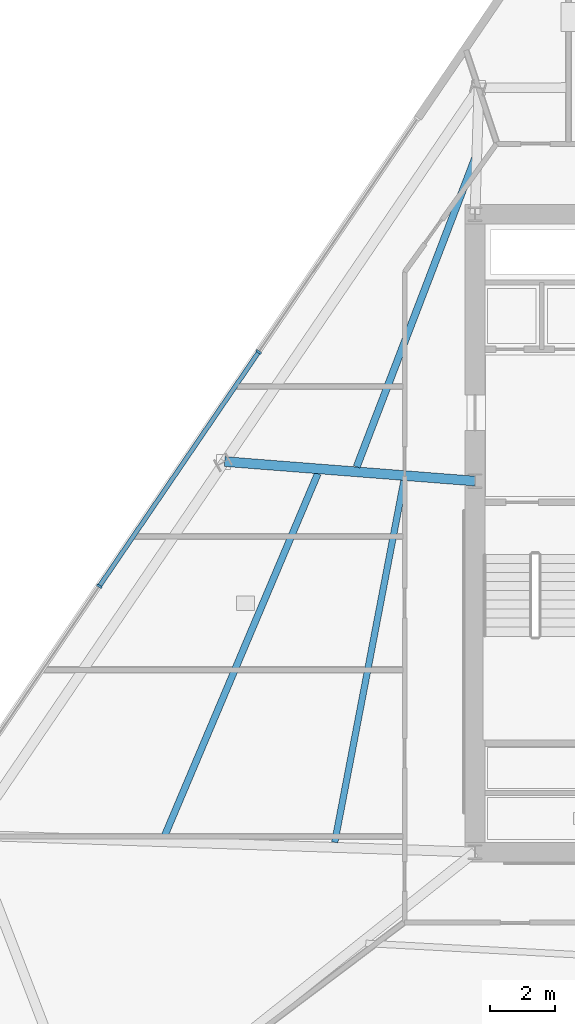
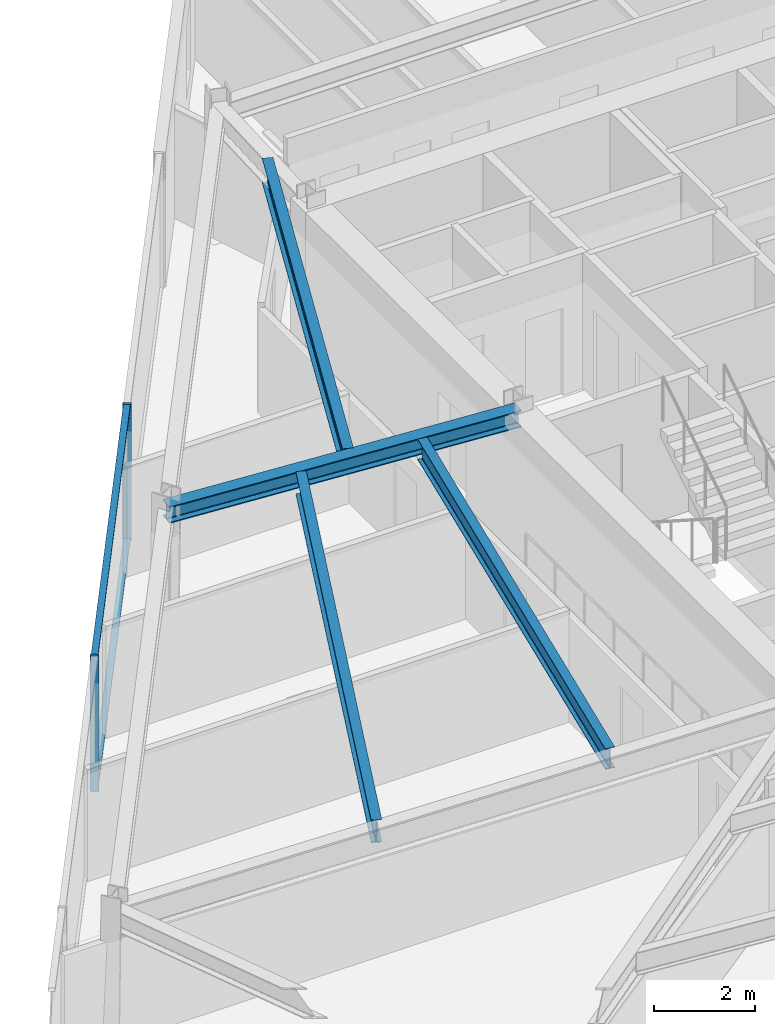
# One storey, part 4 of 16: 4 beams, 4 members, 1 element without a shape of its own.
"""IFC4 building model written with IfcOpenShell, lengths in metres."""

import ifcopenshell
import ifcopenshell.guid

model = None  # the IFC model being written
_history = None  # IfcOwnerHistory: only IFC2X3 demands one
_inside = {}  # id of a spatial element -> (the spatial element, [elements in it])
_under = {}  # id of a project, library or spatial element -> (it, [spatial elements below it])
_declared = {}  # id of a project -> (the project, [libraries it declares])
_typed = {}  # id of a type object -> (the type object, [elements of that type])
_made_of = {}  # id of a material, layer set ... -> (it, [elements and type objects made of it])


def new_model(schema):
    """Start an empty IFC model of exactly this schema.

    Asked for "IFC4X3", IfcOpenShell would pick the latest addendum, in which some entities
    have other attributes; the version numbers below select the first issue.
    IFC2X3 requires an IfcOwnerHistory on every rooted entity: one is made here for all.
    """
    global model, _history
    if schema == "IFC4X3":
        model = ifcopenshell.file(schema_version=(4, 3, 0, 0))
    else:
        model = ifcopenshell.file(schema=schema)
    _inside.clear()
    _under.clear()
    _declared.clear()
    _typed.clear()
    _made_of.clear()
    _history = None
    if model.schema == "IFC2X3":
        org = make("IfcOrganization", Name="unknown")
        user = make(
            "IfcPersonAndOrganization",
            ThePerson=make("IfcPerson", FamilyName="unknown"),
            TheOrganization=org,
        )
        app = make(
            "IfcApplication",
            ApplicationDeveloper=org,
            Version="unknown",
            ApplicationFullName="unknown",
            ApplicationIdentifier="unknown",
        )
        _history = make(
            "IfcOwnerHistory",
            OwningUser=user,
            OwningApplication=app,
            ChangeAction="ADDED",
            CreationDate=0,
        )
    return model


def make(cls, **values):
    """One entity of the class cls with the attributes given. An attribute that is None is left unset."""
    return model.create_entity(
        cls, **{name: value for name, value in values.items() if value is not None}
    )


def rooted(cls, **values):
    """An entity with a GlobalId (a new one), such as an element, a storey or a relation."""
    return make(cls, GlobalId=ifcopenshell.guid.new(), OwnerHistory=_history, **values)


def si_unit(unit_type, name, prefix=None):
    """IfcSIUnit, for example si_unit("LENGTHUNIT", "METRE", prefix="MILLI")."""
    return make("IfcSIUnit", UnitType=unit_type, Prefix=prefix, Name=name)


def assignment(units):
    """IfcUnitAssignment: the units of a project."""
    return None if units is None else make("IfcUnitAssignment", Units=units)


def point(xyz):
    """IfcCartesianPoint."""
    return None if xyz is None else make("IfcCartesianPoint", Coordinates=xyz)


def direction(xyz):
    """IfcDirection."""
    return None if xyz is None else make("IfcDirection", DirectionRatios=xyz)


def frame(location, z_axis=None, x_axis=None):
    """IfcAxis2Placement3D, a coordinate frame: its origin and axes. An axis left out is left unset."""
    return make(
        "IfcAxis2Placement3D",
        Location=point(location),
        Axis=direction(z_axis),
        RefDirection=direction(x_axis),
    )


def frame_2d(location, x_axis=None):
    """IfcAxis2Placement2D, a coordinate frame in the plane: its origin and x axis."""
    return make(
        "IfcAxis2Placement2D", Location=point(location), RefDirection=direction(x_axis)
    )


def origin():
    """The frame at (0, 0, 0) with its axes left unset."""
    return frame((0.0, 0.0, 0.0))


def origin_2d():
    """The frame at (0, 0) in the plane with its x axis left unset."""
    return frame_2d((0.0, 0.0))


def place(relative_to, where):
    """IfcLocalPlacement: puts the frame where relative to a parent placement (None: the world)."""
    return make(
        "IfcLocalPlacement", PlacementRelTo=relative_to, RelativePlacement=where
    )


def context(
    kind, dimensions, precision=None, world=None, true_north=None, identifier=None
):
    """IfcGeometricRepresentationContext, for example the 3D "Model" context."""
    return make(
        "IfcGeometricRepresentationContext",
        ContextIdentifier=identifier,
        ContextType=kind,
        CoordinateSpaceDimension=dimensions,
        Precision=precision,
        WorldCoordinateSystem=world,
        TrueNorth=true_north,
    )


def subcontext(parent, identifier, kind, view, scale=None):
    """IfcGeometricRepresentationSubContext, for example "Body" below "Model"."""
    return make(
        "IfcGeometricRepresentationSubContext",
        ContextIdentifier=identifier,
        ContextType=kind,
        ParentContext=parent,
        TargetScale=scale,
        TargetView=view,
    )


def project(units=None, contexts=None):
    """IfcProject with its units and contexts."""
    return rooted(
        "IfcProject",
        Name="project",
        RepresentationContexts=contexts,
        UnitsInContext=assignment(units),
    )


def spatial(cls, under=None, at=None, **own):
    """A site, building, storey or space (cls), placed at a placement, below another one or the project."""
    s = rooted(cls, ObjectPlacement=at, **own)
    if under is not None:
        _under.setdefault(under.id(), (under, []))[1].append(s)
    return s


def profile(cls, at=None, kind="AREA", **sizes):
    """A parametric profile (cls). Its sizes go by their IFC names, for example OverallWidth=200.0."""
    return make(cls, ProfileType=kind, Position=at, **sizes)


def rectangle(**sizes):
    """IfcRectangleProfileDef."""
    return profile("IfcRectangleProfileDef", **sizes)


def i_section(**sizes):
    """IfcIShapeProfileDef."""
    return profile("IfcIShapeProfileDef", **sizes)


def extrude(swept, where, along, depth):
    """IfcExtrudedAreaSolid: the profile swept, set in the frame where, extruded along a direction by depth."""
    return make(
        "IfcExtrudedAreaSolid",
        SweptArea=swept,
        Position=where,
        ExtrudedDirection=direction(along),
        Depth=depth,
    )


def shape(context_of_items, identifier, shape_type, items):
    """IfcShapeRepresentation: the items that make up one representation, for example the "Body"."""
    return make(
        "IfcShapeRepresentation",
        ContextOfItems=context_of_items,
        RepresentationIdentifier=identifier,
        RepresentationType=shape_type,
        Items=items,
    )


def material(Name=None, Category=None):
    """IfcMaterial."""
    return make("IfcMaterial", Name=Name, Category=Category)


def material_profile(
    of_material, cross_section, Name=None, Category=None, Priority=None
):
    """IfcMaterialProfile: a cross section and its material."""
    return make(
        "IfcMaterialProfile",
        Name=Name,
        Material=of_material,
        Profile=cross_section,
        Priority=Priority,
        Category=Category,
    )


def profile_set(profiles, Name=None, composite=None):
    """IfcMaterialProfileSet."""
    return make(
        "IfcMaterialProfileSet",
        Name=Name,
        MaterialProfiles=profiles,
        CompositeProfile=composite,
    )


def made_of(thing, what):
    """Note that an element or type object is made of a material, layer set ...; save() writes the relation."""
    if what is not None:
        _made_of.setdefault(what.id(), (what, []))[1].append(thing)
    return thing


def type_object(cls, material=None, **own):
    """A type object (cls), such as IfcWallType, which elements share."""
    return made_of(rooted(cls, **own), material)


def element(
    cls,
    number,
    at=None,
    inside=None,
    cuts=None,
    type_object=None,
    material=None,
    context=None,
    identifier="Body",
    shape_type=None,
    held_by="IfcProductDefinitionShape",
    body=None,
    shapes=None,
    **own,
):
    """One element of the class cls, such as IfcWall. Its Tag is "e" and its number.

    at: its placement. inside: the storey or other place that contains it. cuts: it is an
    opening in that element (IfcRelVoidsElement). A single representation is given by context,
    identifier, shape_type and body (its items); several are given by shapes. held_by: the class
    of the entity that holds the representations. save() writes the other relations.
    """
    e = rooted(cls, Tag="e%d" % number, ObjectPlacement=at, **own)
    if body is not None:
        shapes = [shape(context, identifier, shape_type, body)]
    if shapes is not None:
        e.Representation = make(held_by, Representations=shapes)
    if inside is not None:
        _inside.setdefault(inside.id(), (inside, []))[1].append(e)
    if cuts is not None:
        rooted(
            "IfcRelVoidsElement", RelatingBuildingElement=cuts, RelatedOpeningElement=e
        )
    if type_object is not None:
        _typed.setdefault(type_object.id(), (type_object, []))[1].append(e)
    return made_of(e, material)


def aggregate(whole, parts):
    """IfcRelAggregates: a whole, such as a stair, and the parts it consists of."""
    return rooted("IfcRelAggregates", RelatingObject=whole, RelatedObjects=parts)


def save(model, path):
    """Write the relations noted so far, then the file.

    IfcRelAggregates (storeys below a building ...), IfcRelContainedInSpatialStructure (elements
    in a storey), IfcRelDefinesByType, IfcRelAssociatesMaterial and IfcRelDeclares: one each for
    every whole, place, type object, material and project.
    """
    for whole, parts in _under.values():
        aggregate(whole, parts)
    for where, things in _inside.values():
        rooted(
            "IfcRelContainedInSpatialStructure",
            RelatedElements=things,
            RelatingStructure=where,
        )
    for kind, things in _typed.values():
        rooted("IfcRelDefinesByType", RelatedObjects=things, RelatingType=kind)
    for what, things in _made_of.values():
        rooted("IfcRelAssociatesMaterial", RelatedObjects=things, RelatingMaterial=what)
    for by, libraries in _declared.values():
        rooted("IfcRelDeclares", RelatingContext=by, RelatedDefinitions=libraries)
    model.write(path)


model = new_model("IFC4")

# Units and contexts
model_context = context("Model", 3, precision=1e-05, world=origin(), true_north=direction((0.0, 1.0)))
body_context = subcontext(model_context, "Body", "Model", "MODEL_VIEW")
ifc_project = project(units=[si_unit("LENGTHUNIT", "METRE"), si_unit("AREAUNIT", "SQUARE_METRE"), si_unit("VOLUMEUNIT", "CUBIC_METRE"), si_unit("PLANEANGLEUNIT", "RADIAN"), si_unit("MASSUNIT", "GRAM", prefix="KILO")], contexts=[model_context])

# Site, building, storey
site_placement = place(None, origin())
site = spatial("IfcSite", under=ifc_project, at=site_placement, CompositionType="ELEMENT")
building_placement = place(site_placement, origin())
building = spatial("IfcBuilding", under=site, at=building_placement, Name="Savorim Split Tower", CompositionType="ELEMENT")
storey_placement = place(building_placement, frame((0.0, 0.0, 69.60009765625)))
storey = spatial("IfcBuildingStorey", under=building, at=storey_placement, Name="L18", CompositionType="ELEMENT", Elevation=69.60009765625)

# Beams
ifc_material_1 = material(Name="Steel S355", Category="steel")
ifc_material_profile_1 = material_profile(ifc_material_1, i_section(OverallWidth=0.199951171875, OverallDepth=0.5, WebThickness=0.01025390625, FlangeThickness=0.01611328125, FilletRadius=0.02099609375, at=origin_2d()), Name="IPE 500")
ifc_profile_set_1 = profile_set([ifc_material_profile_1], Name="Steel S355")
beam_type_1 = type_object("IfcBeamType", Name="BM-JST-IPE500", PredefinedType="JOIST", material=ifc_profile_set_1)
beam_1_placement = place(storey_placement, frame((-9.884033203125, 2.0107421875, 3.02978515625), z_axis=(-0.188048348164, -0.982159772518, 0.0), x_axis=(0.982159772518, -0.188048348164, 0.0)))
element("IfcBeam", 1, at=beam_1_placement, inside=storey, type_object=beam_type_1, Name="L18 Secondary Floor Joist JS-11", PredefinedType="JOIST", context=body_context, shape_type="SweptSolid", body=[
    extrude(i_section(OverallWidth=0.199951171875, OverallDepth=0.5, WebThickness=0.01025390625, FlangeThickness=0.01611328125, FilletRadius=0.02099609375, at=origin_2d()), origin(), (0.0, 0.0, 1.0), 11.310791015625),
])
ifc_material_profile_2 = material_profile(ifc_material_1, i_section(OverallWidth=0.2099609375, OverallDepth=0.550048828125, WebThickness=0.010986328125, FlangeThickness=0.01708984375, FilletRadius=0.02392578125, at=origin_2d()), Name="IPE 550")
ifc_profile_set_2 = profile_set([ifc_material_profile_2], Name="Steel S355")
beam_type_2 = type_object("IfcBeamType", Name="BM-JST-IPE550", PredefinedType="JOIST", material=ifc_profile_set_2)
beam_2_placement = place(storey_placement, frame((-12.531494140625, 2.224609375, 3.0048828125), z_axis=(-0.389541366796, -0.921008970398, 0.0), x_axis=(0.921008970398, -0.389541366796, 0.0)))
element("IfcBeam", 2, at=beam_2_placement, inside=storey, type_object=beam_type_2, Name="L18 Secondary Floor Joist JS-10", PredefinedType="JOIST", context=body_context, shape_type="SweptSolid", body=[
    extrude(i_section(OverallWidth=0.2099609375, OverallDepth=0.550048828125, WebThickness=0.010986328125, FlangeThickness=0.01708984375, FilletRadius=0.02392578125, at=origin_2d()), origin(), (0.0, 0.0, 1.0), 12.113525390625),
])
ifc_material_profile_3 = material_profile(ifc_material_1, i_section(OverallWidth=0.219970703125, OverallDepth=0.60009765625, WebThickness=0.011962890625, FlangeThickness=0.01904296875, FilletRadius=0.02392578125, at=origin_2d()), Name="IPE 600")
ifc_profile_set_3 = profile_set([ifc_material_profile_3], Name="Steel S355")
beam_type_3 = type_object("IfcBeamType", Name="BM-JST-IPE600", PredefinedType="JOIST", material=ifc_profile_set_3)
beam_3_placement = place(storey_placement, frame((-7.7001953125, 11.914306640625, 2.97998046875), z_axis=(-0.35811985103, -0.933675624775, 0.0), x_axis=(0.933675624775, -0.35811985103, 0.0)))
element("IfcBeam", 3, at=beam_3_placement, inside=storey, type_object=beam_type_3, Name="L18 Secondary Floor Joist JS-09", PredefinedType="JOIST", context=body_context, shape_type="SweptSolid", body=[
    extrude(i_section(OverallWidth=0.219970703125, OverallDepth=0.60009765625, WebThickness=0.011962890625, FlangeThickness=0.01904296875, FilletRadius=0.02392578125, at=origin_2d()), origin(), (0.0, 0.0, 1.0), 10.150146484375),
])
ifc_material_profile_4 = material_profile(ifc_material_1, i_section(OverallWidth=0.300048828125, OverallDepth=0.39990234375, WebThickness=0.013427734375, FlangeThickness=0.02392578125, FilletRadius=0.027099609375, at=origin_2d()), Name="HEB 400")
ifc_profile_set_4 = profile_set([ifc_material_profile_4], Name="Steel S355")
beam_type_4 = type_object("IfcBeamType", Name="BM-PRI-HEB400", PredefinedType="BEAM", material=ifc_profile_set_4)
beam_4_placement = place(storey_placement, frame((-15.392333984375, 2.599853515625, 3.079833984375), z_axis=(0.996973341213, -0.077744176062, 0.0), x_axis=(0.077744176062, 0.996973341213, 0.0)))
element("IfcBeam", 4, at=beam_4_placement, inside=storey, type_object=beam_type_4, Name="L18 Primary Floor Girder RG-09", PredefinedType="BEAM", context=body_context, shape_type="SweptSolid", body=[
    extrude(i_section(OverallWidth=0.300048828125, OverallDepth=0.39990234375, WebThickness=0.013427734375, FlangeThickness=0.02392578125, FilletRadius=0.027099609375, at=origin_2d()), origin(), (0.0, 0.0, 1.0), 7.7158203125),
])

# Curtain wall, members
ifc_material_2 = material(Name="Dark Ceramic-Fritted Insulated Glass", Category="glass")
curtain_wall_type = type_object("IfcCurtainWallType", Name="CW-TWR-FRIT-A", PredefinedType="NOTDEFINED", material=ifc_material_2)
curtain_wall_placement = place(storey_placement, origin())
curtain_wall = element("IfcCurtainWall", 5, at=curtain_wall_placement, inside=storey, type_object=curtain_wall_type, Name="L18 Curtain Wall CW-L18-WEST", PredefinedType="NOTDEFINED")
ifc_material_3 = material(Name="Charcoal Anodised Aluminium", Category="aluminium")
ifc_material_profile_5 = material_profile(ifc_material_3, rectangle(XDim=0.179931640625, YDim=0.06494140625, at=origin_2d()), Name="ALU-M 180x65")
ifc_profile_set_5 = profile_set([ifc_material_profile_5], Name="Charcoal Anodised Aluminium")
member_type_1 = type_object("IfcMemberType", Name="CWM-180x65", PredefinedType="MULLION", material=ifc_profile_set_5)
member_1_placement = place(storey_placement, frame((-14.34619140625, 5.967041015625, 0.0), z_axis=(0.0, 0.0, 1.0), x_axis=(0.826820172644, -0.562466356423, 0.0)))
member_1 = element("IfcMember", 6, at=member_1_placement, type_object=member_type_1, Name="CW-02 mullion 2", PredefinedType="MULLION", context=body_context, shape_type="SweptSolid", body=[
    extrude(rectangle(XDim=0.179931640625, YDim=0.06494140625, at=origin_2d()), origin(), (0.0, 0.0, 1.0), 3.27978515625),
])
member_2_placement = place(storey_placement, frame((-19.24169921875, -1.229248046875, 0.0), z_axis=(0.0, 0.0, 1.0), x_axis=(0.826820172644, -0.562466356423, 0.0)))
member_2 = element("IfcMember", 7, at=member_2_placement, type_object=member_type_1, Name="CW-02 mullion 3", PredefinedType="MULLION", context=body_context, shape_type="SweptSolid", body=[
    extrude(rectangle(XDim=0.179931640625, YDim=0.06494140625, at=origin_2d()), origin(), (0.0, 0.0, 1.0), 3.27978515625),
])
ifc_material_profile_6 = material_profile(ifc_material_3, rectangle(XDim=0.139892578125, YDim=0.054931640625, at=origin_2d()), Name="ALU-T 140x55")
ifc_profile_set_6 = profile_set([ifc_material_profile_6], Name="Charcoal Anodised Aluminium")
member_type_2 = type_object("IfcMemberType", Name="CWT-140x55", PredefinedType="USERDEFINED", material=ifc_profile_set_6)
member_3_placement = place(storey_placement, frame((-14.364501953125, 5.940185546875, 0.02734375), z_axis=(-0.562463069867, -0.826822408402, 0.0), x_axis=(0.826822408402, -0.562463069867, 0.0)))
member_3 = element("IfcMember", 8, at=member_3_placement, type_object=member_type_2, Name="CW-02 transom 2.1", ObjectType="TRANSOM", PredefinedType="USERDEFINED", context=body_context, shape_type="SweptSolid", body=[
    extrude(rectangle(XDim=0.139892578125, YDim=0.054931640625, at=origin_2d()), origin(), (0.0, 0.0, 1.0), 8.638671875),
])
member_4_placement = place(storey_placement, frame((-14.364501953125, 5.940185546875, 3.25244140625), z_axis=(-0.562463069867, -0.826822408402, 0.0), x_axis=(0.826822408402, -0.562463069867, 0.0)))
member_4 = element("IfcMember", 9, at=member_4_placement, type_object=member_type_2, Name="CW-02 transom 2.2", ObjectType="TRANSOM", PredefinedType="USERDEFINED", context=body_context, shape_type="SweptSolid", body=[
    extrude(rectangle(XDim=0.139892578125, YDim=0.054931640625, at=origin_2d()), origin(), (0.0, 0.0, 1.0), 8.638671875),
])
aggregate(curtain_wall, [member_1, member_2, member_3, member_4])

save(model, "model.ifc")
